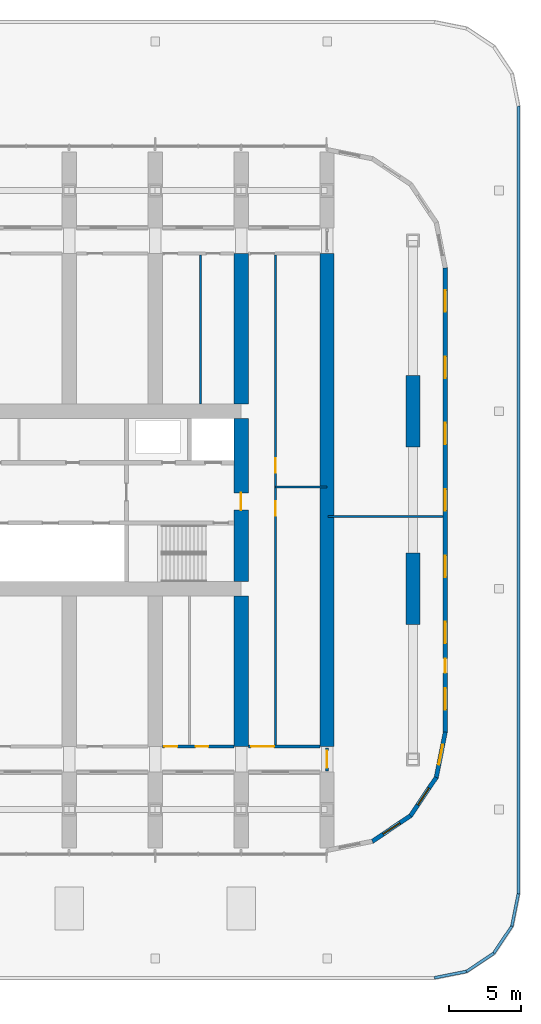
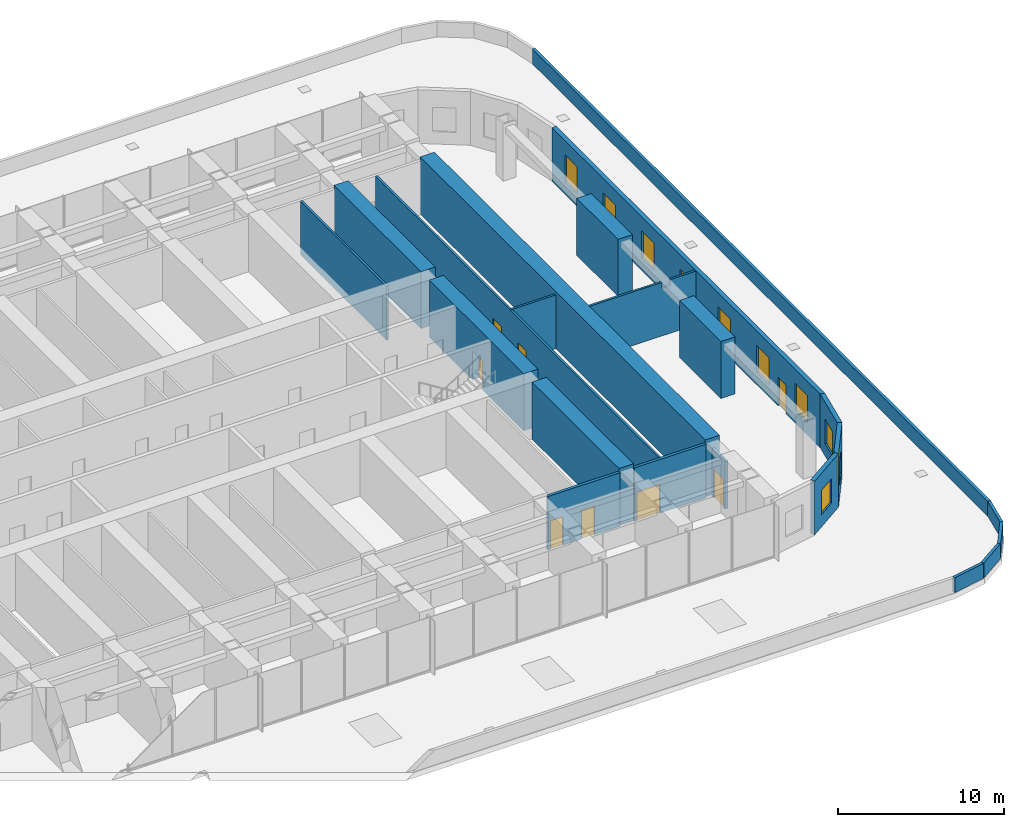
# One storey, part 16 of 23: 22 walls, 10 windows, 8 doors, 18 openings.
"""IFC4 building model written with IfcOpenShell, lengths in metres."""

from ifc_helpers import new_model, si_unit, direction, frame, frame_2d, origin, place, context, subcontext, project, spatial, polyline, rectangle, outline, extrude, material, layer, layer_set, type_object, element, fill, save


model = new_model("IFC4")

# Units and contexts
model_context = context("Model", 3, precision=1e-05, world=origin(), true_north=direction((0.0, 1.0)))
body_context = subcontext(model_context, "Body", "Model", "MODEL_VIEW")
ifc_project = project(units=[si_unit("LENGTHUNIT", "METRE"), si_unit("AREAUNIT", "SQUARE_METRE"), si_unit("VOLUMEUNIT", "CUBIC_METRE"), si_unit("PLANEANGLEUNIT", "RADIAN"), si_unit("MASSUNIT", "GRAM", prefix="KILO")], contexts=[model_context])

# Site, building, storey
site_placement = place(None, origin())
site = spatial("IfcSite", under=ifc_project, at=site_placement, CompositionType="ELEMENT")
building_placement = place(site_placement, origin())
building = spatial("IfcBuilding", under=site, at=building_placement, Name="Orbita Commons", CompositionType="ELEMENT")
storey_placement = place(building_placement, frame((0.0, 0.0, 16.0)))
storey = spatial("IfcBuildingStorey", under=building, at=storey_placement, Name="L03", CompositionType="ELEMENT", Elevation=16.0)

# Wall, opening, door
ifc_material_1 = material(Name="Concrete C50/60", Category="concrete")
ifc_layer_1 = layer(ifc_material_1, 1.0)
ifc_layer_set_1 = layer_set([ifc_layer_1], Name="Concrete C50/60")
wall_type_1 = type_object("IfcWallType", Name="Core wall 1000 C50/60", PredefinedType="SHEAR", material=ifc_layer_set_1)
wall_1_placement = place(storey_placement, frame((66.0, 26.300048828125, 0.0), z_axis=(0.0, 0.0, 1.0), x_axis=(0.0, 1.0, 0.0)))
wall_1 = element("IfcWall", 1, at=wall_1_placement, inside=storey, type_object=wall_type_1, Name="Core end wall east L03", PredefinedType="SHEAR", context=body_context, shape_type="SweptSolid", body=[
    extrude(rectangle(XDim=11.39990234375, YDim=1.0, at=frame_2d((5.699951171875, 0.0))), origin(), (0.0, 0.0, 1.0), 4.199951171875),
])
opening_1_placement = place(wall_1_placement, frame((5.0, 0.0, 0.0)))
opening_1 = element("IfcOpeningElement", 2, at=opening_1_placement, cuts=wall_1, Name="Opening D01", PredefinedType="OPENING", context=body_context, shape_type="SweptSolid", body=[
    extrude(rectangle(XDim=1.199951171875, YDim=2.10009765625, at=frame_2d((0.60009765625, 1.050048828125))), frame((0.0, 0.510009765625, 0.0), z_axis=(0.0, -1.0, 0.0), x_axis=(1.0, 0.0, 0.0)), (0.0, 0.0, 1.0), 1.02001953125),
])
ifc_material_2 = material(Name="Steel-faced fire door leaf", Category="steel")
door_type_1 = type_object("IfcDoorType", Name="Fire door 90 min 1200x2100", OperationType="SINGLE_SWING_LEFT", PredefinedType="DOOR", material=ifc_material_2)
door_1_placement = place(opening_1_placement, origin())
door_1 = element("IfcDoor", 3, at=door_1_placement, inside=storey, type_object=door_type_1, Name="Firefighting lobby east door", OperationType="SINGLE_SWING_LEFT", OverallHeight=2.10009765625, OverallWidth=1.199951171875, PredefinedType="DOOR", context=body_context, shape_type="SweptSolid", body=[
    extrude(rectangle(XDim=1.199951171875, YDim=2.10009765625, at=frame_2d((0.60009765625, 1.050048828125))), frame((0.0, 0.02490234375, 0.0), z_axis=(0.0, -1.0, 0.0), x_axis=(1.0, 0.0, 0.0)), (0.0, 0.0, 1.0), 0.050048828125),
])
fill(opening_1, door_1)

ifc_material_3 = material(Name="Concrete blockwork", Category="masonry")
ifc_layer_2 = layer(ifc_material_3, 0.199951171875)
ifc_layer_set_2 = layer_set([ifc_layer_2], Name="Concrete blockwork")
wall_type_2 = type_object("IfcWallType", Name="Corridor wall 200 blockwork", PredefinedType="SOLIDWALL", material=ifc_layer_set_2)
wall_2_placement = place(storey_placement, frame((72.0, 13.10009765625, 0.0), z_axis=(0.0, 0.0, 1.0), x_axis=(0.0, 1.0, 0.0)))
wall_2 = element("IfcWall", 4, at=wall_2_placement, inside=storey, type_object=wall_type_2, Name="Corridor wall 200 blockwork L03", PredefinedType="SOLIDWALL", context=body_context, shape_type="SweptSolid", body=[
    extrude(outline(polyline([(0.0, 0.0), (1.599853515625, 0.0), (1.60009765625, 3.5), (0.0, 3.5), (0.0, 0.0)])), frame((0.0, 0.10009765625, 0.0), z_axis=(0.0, -1.0, 0.0), x_axis=(1.0, 0.0, 0.0)), (0.0, 0.0, 1.0), 0.199951171875),
])
opening_2_placement = place(wall_2_placement, frame((0.199951171875, 0.0, 0.0)))
opening_2 = element("IfcOpeningElement", 5, at=opening_2_placement, cuts=wall_2, Name="Opening D12", PredefinedType="OPENING", context=body_context, shape_type="SweptSolid", body=[
    extrude(rectangle(XDim=1.199951171875, YDim=2.10009765625, at=frame_2d((0.60009765625, 1.050048828125))), frame((0.0, 0.10986328125, 0.0), z_axis=(0.0, -1.0, 0.0), x_axis=(1.0, 0.0, 0.0)), (0.0, 0.0, 1.0), 0.219970703125),
])
ifc_material_4 = material(Name="Steel-faced fire door leaf", Category="steel")
door_type_2 = type_object("IfcDoorType", Name="Double corridor door 20 min 1200x2100", OperationType="DOUBLE_DOOR_SINGLE_SWING", PredefinedType="DOOR", material=ifc_material_4)
door_2_placement = place(opening_2_placement, origin())
door_2 = element("IfcDoor", 6, at=door_2_placement, inside=storey, type_object=door_type_2, Name="Lounge doors", OperationType="DOUBLE_DOOR_SINGLE_SWING", OverallHeight=2.10009765625, OverallWidth=1.199951171875, PredefinedType="DOOR", context=body_context, shape_type="SweptSolid", body=[
    extrude(rectangle(XDim=1.199951171875, YDim=2.10009765625, at=frame_2d((0.60009765625, 1.050048828125))), frame((0.0, 0.02490234375, 0.0), z_axis=(0.0, -1.0, 0.0), x_axis=(1.0, 0.0, 0.0)), (0.0, 0.0, 1.0), 0.050048828125),
])
fill(opening_2, door_2)

# Wall, openings, doors
ifc_material_5 = material(Name="Hollow concrete block 200", Category="concrete")
ifc_layer_3 = layer(ifc_material_5, 0.199951171875)
ifc_layer_set_3 = layer_set([ifc_layer_3], Name="Hollow concrete block 200")
wall_type_3 = type_object("IfcWallType", Name="Corridor wall 200 hollow concrete block", PredefinedType="SOLIDWALL", material=ifc_layer_set_3)
wall_3_placement = place(storey_placement, frame((60.5, 14.800048828125, 0.0), z_axis=(0.0, 0.0, 1.0), x_axis=(1.0, 0.0, 0.0)))
wall_3 = element("IfcWall", 7, at=wall_3_placement, inside=storey, type_object=wall_type_3, Name="Corridor wall 200 hollow concrete block L03", PredefinedType="SOLIDWALL", context=body_context, shape_type="SweptSolid", body=[
    extrude(rectangle(XDim=5.0, YDim=0.199951171875, at=frame_2d((2.5, 0.0))), origin(), (0.0, 0.0, 1.0), 3.949951171875),
])
opening_3_placement = place(wall_3_placement, frame((0.14990234375, 0.0, 0.0)))
opening_3 = element("IfcOpeningElement", 8, at=opening_3_placement, cuts=wall_3, Name="Opening D11", PredefinedType="OPENING", context=body_context, shape_type="SweptSolid", body=[
    extrude(rectangle(XDim=0.89990234375, YDim=2.10009765625, at=frame_2d((0.449951171875, 1.050048828125))), frame((0.0, 0.10986328125, 0.0), z_axis=(0.0, -1.0, 0.0), x_axis=(1.0, 0.0, 0.0)), (0.0, 0.0, 1.0), 0.219970703125),
])
opening_4_placement = place(wall_3_placement, frame((2.324951171875, 0.0, 0.0)))
opening_4 = element("IfcOpeningElement", 9, at=opening_4_placement, cuts=wall_3, Name="Opening D11", PredefinedType="OPENING", context=body_context, shape_type="SweptSolid", body=[
    extrude(rectangle(XDim=0.89990234375, YDim=2.10009765625, at=frame_2d((0.449951171875, 1.050048828125))), frame((0.0, 0.10986328125, 0.0), z_axis=(0.0, -1.0, 0.0), x_axis=(1.0, 0.0, 0.0)), (0.0, 0.0, 1.0), 0.219970703125),
])
ifc_material_6 = material(Name="Steel-faced fire door leaf", Category="steel")
door_type_3 = type_object("IfcDoorType", Name="Corridor door 20 min 900x2100", OperationType="SINGLE_SWING_LEFT", PredefinedType="DOOR", material=ifc_material_6)
door_3_placement = place(opening_3_placement, origin())
door_3 = element("IfcDoor", 10, at=door_3_placement, inside=storey, type_object=door_type_3, Name="Quiet prayer room L03-BDS60 door", OperationType="SINGLE_SWING_LEFT", OverallHeight=2.10009765625, OverallWidth=0.89990234375, PredefinedType="DOOR", context=body_context, shape_type="SweptSolid", body=[
    extrude(rectangle(XDim=0.89990234375, YDim=2.10009765625, at=frame_2d((0.449951171875, 1.050048828125))), frame((0.0, 0.02490234375, 0.0), z_axis=(0.0, -1.0, 0.0), x_axis=(1.0, 0.0, 0.0)), (0.0, 0.0, 1.0), 0.050048828125),
])
fill(opening_3, door_3)
door_4_placement = place(opening_4_placement, origin())
door_4 = element("IfcDoor", 11, at=door_4_placement, inside=storey, type_object=door_type_3, Name="Equipment store L03-BDS60n door", OperationType="SINGLE_SWING_LEFT", OverallHeight=2.10009765625, OverallWidth=0.89990234375, PredefinedType="DOOR", context=body_context, shape_type="SweptSolid", body=[
    extrude(rectangle(XDim=0.89990234375, YDim=2.10009765625, at=frame_2d((0.449951171875, 1.050048828125))), frame((0.0, 0.02490234375, 0.0), z_axis=(0.0, -1.0, 0.0), x_axis=(1.0, 0.0, 0.0)), (0.0, 0.0, 1.0), 0.050048828125),
])
fill(opening_4, door_4)

# Wall, opening, door
wall_4_placement = place(storey_placement, frame((66.5, 14.800048828125, 0.0), z_axis=(0.0, 0.0, 1.0), x_axis=(1.0, 0.0, 0.0)))
wall_4 = element("IfcWall", 12, at=wall_4_placement, inside=storey, type_object=wall_type_3, Name="Corridor wall 200 hollow concrete block L03", PredefinedType="SOLIDWALL", context=body_context, shape_type="SweptSolid", body=[
    extrude(rectangle(XDim=5.0, YDim=0.199951171875, at=frame_2d((2.5, 0.0))), origin(), (0.0, 0.0, 1.0), 3.949951171875),
])
opening_5_placement = place(wall_4_placement, frame((0.199951171875, 0.0, 0.0)))
opening_5 = element("IfcOpeningElement", 13, at=opening_5_placement, cuts=wall_4, Name="Opening D10", PredefinedType="OPENING", context=body_context, shape_type="SweptSolid", body=[
    extrude(rectangle(XDim=1.60009765625, YDim=2.10009765625, at=frame_2d((0.800048828125, 1.050048828125))), frame((0.0, 0.10986328125, 0.0), z_axis=(0.0, -1.0, 0.0), x_axis=(1.0, 0.0, 0.0)), (0.0, 0.0, 1.0), 0.219970703125),
])
ifc_material_7 = material(Name="Steel-faced fire door leaf", Category="steel")
door_type_4 = type_object("IfcDoorType", Name="Double corridor door 20 min 1600x2100", OperationType="DOUBLE_DOOR_SINGLE_SWING", PredefinedType="DOOR", material=ifc_material_7)
door_5_placement = place(opening_5_placement, origin())
door_5 = element("IfcDoor", 14, at=door_5_placement, inside=storey, type_object=door_type_4, Name="Cross corridor doors", OperationType="DOUBLE_DOOR_SINGLE_SWING", OverallHeight=2.10009765625, OverallWidth=1.60009765625, PredefinedType="DOOR", context=body_context, shape_type="SweptSolid", body=[
    extrude(rectangle(XDim=1.60009765625, YDim=2.10009765625, at=frame_2d((0.800048828125, 1.050048828125))), frame((0.0, 0.02490234375, 0.0), z_axis=(0.0, -1.0, 0.0), x_axis=(1.0, 0.0, 0.0)), (0.0, 0.0, 1.0), 0.050048828125),
])
fill(opening_5, door_5)

# Walls
ifc_material_8 = material(Name="Concrete C50/60", Category="concrete")
ifc_layer_4 = layer(ifc_material_8, 1.0)
ifc_layer_set_4 = layer_set([ifc_layer_4], Name="Concrete C50/60")
wall_type_4 = type_object("IfcWallType", Name="Cross wall 1000 C50/60", PredefinedType="SHEAR", material=ifc_layer_set_4)
for number, where, z_axis, x_axis, name in (
    (15, (66.0, 14.800048828125, 0.0), (0.0, 0.0, 1.0), (0.0, 1.0, 0.0), "Cross wall 12 south inner L03"),
    (16, (66.0, 38.699951171875, 0.0), (0.0, 0.0, 1.0), (0.0, 1.0, 0.0), "Cross wall 12 north inner L03"),
):
    element("IfcWall", number, at=place(storey_placement, frame(where, z_axis=z_axis, x_axis=x_axis)), inside=storey, type_object=wall_type_4, Name=name, PredefinedType="SHEAR", context=body_context, shape_type="SweptSolid", body=[
        extrude(rectangle(XDim=10.5, YDim=1.0, at=frame_2d((5.25, 0.0))), origin(), (0.0, 0.0, 1.0), 4.199951171875),
    ])
wall_5_placement = place(storey_placement, frame((72.0, 14.800048828125, 0.0), z_axis=(0.0, 0.0, 1.0), x_axis=(0.0, 1.0, 0.0)))
element("IfcWall", 17, at=wall_5_placement, inside=storey, type_object=wall_type_4, Name="Cross wall 13 inner L03", PredefinedType="SHEAR", context=body_context, shape_type="SweptSolid", body=[
    extrude(rectangle(XDim=34.39990234375, YDim=1.0, at=frame_2d((17.199951171875, 0.0))), origin(), (0.0, 0.0, 1.0), 4.199951171875),
])
ifc_material_9 = material(Name="Concrete C50/60", Category="concrete")
ifc_layer_5 = layer(ifc_material_9, 1.0)
ifc_layer_set_5 = layer_set([ifc_layer_5], Name="Concrete C50/60")
wall_type_5 = type_object("IfcWallType", Name="End pier 1000x5000 C50/60", PredefinedType="SHEAR", material=ifc_layer_set_5)
for number, where, z_axis, x_axis, name in (
    (18, (78.0, 23.300048828125, 0.0), (0.0, 0.0, 1.0), (0.0, 1.0, 0.0), "End pier 14/C L03"),
    (19, (78.0, 35.699951171875, 0.0), (0.0, 0.0, 1.0), (0.0, 1.0, 0.0), "End pier 14/D L03"),
):
    element("IfcWall", number, at=place(storey_placement, frame(where, z_axis=z_axis, x_axis=x_axis)), inside=storey, type_object=wall_type_5, Name=name, PredefinedType="SHEAR", context=body_context, shape_type="SweptSolid", body=[
        extrude(rectangle(XDim=5.0, YDim=1.0, at=frame_2d((2.5, 0.0))), origin(), (0.0, 0.0, 1.0), 4.199951171875),
    ])
ifc_material_10 = material(Name="Gypsum plasterboard on steel studs", Category="steel")
ifc_layer_6 = layer(ifc_material_10, 0.14990234375)
ifc_layer_set_6 = layer_set([ifc_layer_6], Name="Gypsum plasterboard on steel studs")
wall_type_6 = type_object("IfcWallType", Name="Partition 150 plasterboard", PredefinedType="PARTITIONING", material=ifc_layer_set_6)
wall_6_placement = place(storey_placement, frame((63.169921875, 38.699951171875, 0.0), z_axis=(0.0, 0.0, 1.0), x_axis=(0.0, 1.0, 0.0)))
element("IfcWall", 20, at=wall_6_placement, inside=storey, type_object=wall_type_6, Name="Partition 150 plasterboard L03", PredefinedType="PARTITIONING", context=body_context, shape_type="SweptSolid", body=[
    extrude(rectangle(XDim=10.400146484375, YDim=0.14990234375, at=frame_2d((5.2001953125, 0.0))), origin(), (0.0, 0.0, 1.0), 3.949951171875),
])

# Wall, openings, doors
wall_7_placement = place(storey_placement, frame((68.39990234375, 14.89990234375, 0.0), z_axis=(0.0, 0.0, 1.0), x_axis=(0.0, 1.0, 0.0)))
wall_7 = element("IfcWall", 21, at=wall_7_placement, inside=storey, type_object=wall_type_6, Name="Partition 150 plasterboard L03", PredefinedType="PARTITIONING", context=body_context, shape_type="SweptSolid", body=[
    extrude(rectangle(XDim=34.2001953125, YDim=0.14990234375, at=frame_2d((17.10009765625, 0.0))), origin(), (0.0, 0.0, 1.0), 3.949951171875),
])
opening_6_placement = place(wall_7_placement, frame((16.0, 0.0, 0.0)))
opening_6 = element("IfcOpeningElement", 22, at=opening_6_placement, cuts=wall_7, Name="Opening D06", PredefinedType="OPENING", context=body_context, shape_type="SweptSolid", body=[
    extrude(rectangle(XDim=1.0, YDim=2.10009765625, at=frame_2d((0.5, 1.050048828125))), frame((0.0, 0.0849609375, 0.0), z_axis=(0.0, -1.0, 0.0), x_axis=(1.0, 0.0, 0.0)), (0.0, 0.0, 1.0), 0.169921875),
])
opening_7_placement = place(wall_7_placement, frame((19.0, 0.0, 0.0)))
opening_7 = element("IfcOpeningElement", 23, at=opening_7_placement, cuts=wall_7, Name="Opening D06", PredefinedType="OPENING", context=body_context, shape_type="SweptSolid", body=[
    extrude(rectangle(XDim=1.0, YDim=2.10009765625, at=frame_2d((0.5, 1.050048828125))), frame((0.0, 0.0849609375, 0.0), z_axis=(0.0, -1.0, 0.0), x_axis=(1.0, 0.0, 0.0)), (0.0, 0.0, 1.0), 0.169921875),
])
ifc_material_11 = material(Name="Steel-faced fire door leaf", Category="steel")
door_type_5 = type_object("IfcDoorType", Name="Corridor door 20 min 1000x2100", OperationType="SINGLE_SWING_LEFT", PredefinedType="DOOR", material=ifc_material_11)
door_6_placement = place(opening_6_placement, origin())
door_6 = element("IfcDoor", 24, at=door_6_placement, inside=storey, type_object=door_type_5, Name="Residents' storage room door", OperationType="SINGLE_SWING_LEFT", OverallHeight=2.10009765625, OverallWidth=1.0, PredefinedType="DOOR", context=body_context, shape_type="SweptSolid", body=[
    extrude(rectangle(XDim=1.0, YDim=2.10009765625, at=frame_2d((0.5, 1.050048828125))), frame((0.0, 0.02490234375, 0.0), z_axis=(0.0, -1.0, 0.0), x_axis=(1.0, 0.0, 0.0)), (0.0, 0.0, 1.0), 0.050048828125),
])
fill(opening_6, door_6)
door_7_placement = place(opening_7_placement, origin())
door_7 = element("IfcDoor", 25, at=door_7_placement, inside=storey, type_object=door_type_5, Name="Quiet room en door", OperationType="SINGLE_SWING_LEFT", OverallHeight=2.10009765625, OverallWidth=1.0, PredefinedType="DOOR", context=body_context, shape_type="SweptSolid", body=[
    extrude(rectangle(XDim=1.0, YDim=2.10009765625, at=frame_2d((0.5, 1.050048828125))), frame((0.0, 0.02490234375, 0.0), z_axis=(0.0, -1.0, 0.0), x_axis=(1.0, 0.0, 0.0)), (0.0, 0.0, 1.0), 0.050048828125),
])
fill(opening_7, door_7)

# Walls
wall_8_placement = place(storey_placement, frame((68.39990234375, 32.89990234375, 0.0), z_axis=(0.0, 0.0, 1.0), x_axis=(1.0, 0.0, 0.0)))
element("IfcWall", 26, at=wall_8_placement, inside=storey, type_object=wall_type_6, Name="Partition 150 plasterboard L03", PredefinedType="PARTITIONING", context=body_context, shape_type="SweptSolid", body=[
    extrude(rectangle(XDim=3.60009765625, YDim=0.14990234375, at=frame_2d((1.800048828125, 0.0))), origin(), (0.0, 0.0, 1.0), 3.949951171875),
])
wall_9_placement = place(storey_placement, frame((72.074951171875, 30.85009765625, 0.0), z_axis=(0.0, 0.0, 1.0), x_axis=(1.0, 0.0, 0.0)))
element("IfcWall", 27, at=wall_9_placement, inside=storey, type_object=wall_type_6, Name="Partition 150 plasterboard L03", PredefinedType="PARTITIONING", context=body_context, shape_type="SweptSolid", body=[
    extrude(outline(polyline([(0.0, 0.0), (8.02001953125, 0.0), (8.02001953125, 3.949951171875), (6.22705078125, 3.949951171875), (6.22509765625, 3.5), (5.626953125, 3.5), (5.625, 3.949951171875), (0.0, 3.949951171875), (0.0, 0.0)])), frame((0.0, 0.074951171875, 0.0), z_axis=(0.0, -1.0, 0.0), x_axis=(1.0, 0.0, 0.0)), (0.0, 0.0, 1.0), 0.14990234375),
])

# Wall, openings, windows, door
ifc_material_12 = material(Name="Precast concrete C40/50, white board-marked finish", Category="concrete")
ifc_layer_7 = layer(ifc_material_12, 0.300048828125)
ifc_layer_set_7 = layer_set([ifc_layer_7], Name="Precast concrete C40/50, white board-marked finish")
wall_type_7 = type_object("IfcWallType", Name="Precast concrete end shield 300", PredefinedType="SOLIDWALL", material=ifc_layer_set_7)
wall_10_placement = place(storey_placement, frame((80.25, 15.800048828125, 0.0), z_axis=(0.0, 0.0, 1.0), x_axis=(0.0, 1.0, 0.0)))
wall_10 = element("IfcWall", 28, at=wall_10_placement, inside=storey, type_object=wall_type_7, Name="End shield E L03", PredefinedType="SOLIDWALL", context=body_context, shape_type="SweptSolid", body=[
    extrude(outline(polyline([(-0.014892578125, -0.14990234375), (32.414794921875, -0.14990234375), (32.385009765625, 0.14990234375), (0.014892578125, 0.14990234375), (-0.014892578125, -0.14990234375)])), origin(), (0.0, 0.0, 1.0), 3.949951171875),
])
opening_8_placement = place(wall_10_placement, frame((1.564208984375, 0.0, 0.89990234375)))
opening_8 = element("IfcOpeningElement", 29, at=opening_8_placement, cuts=wall_10, Name="Opening W01", PredefinedType="OPENING", context=body_context, shape_type="SweptSolid", body=[
    extrude(rectangle(XDim=1.5, YDim=2.0, at=frame_2d((0.75, 1.0))), frame((0.0, 0.159912109375, 0.0), z_axis=(0.0, -1.0, 0.0), x_axis=(1.0, 0.0, 0.0)), (0.0, 0.0, 1.0), 0.320068359375),
])
opening_9_placement = place(wall_10_placement, frame((6.19287109375, 0.0, 0.89990234375)))
opening_9 = element("IfcOpeningElement", 30, at=opening_9_placement, cuts=wall_10, Name="Opening W01", PredefinedType="OPENING", context=body_context, shape_type="SweptSolid", body=[
    extrude(rectangle(XDim=1.5, YDim=2.0, at=frame_2d((0.75, 1.0))), frame((0.0, 0.159912109375, 0.0), z_axis=(0.0, -1.0, 0.0), x_axis=(1.0, 0.0, 0.0)), (0.0, 0.0, 1.0), 0.320068359375),
])
opening_10_placement = place(wall_10_placement, frame((10.821533203125, 0.0, 0.89990234375)))
opening_10 = element("IfcOpeningElement", 31, at=opening_10_placement, cuts=wall_10, Name="Opening W01", PredefinedType="OPENING", context=body_context, shape_type="SweptSolid", body=[
    extrude(rectangle(XDim=1.5, YDim=2.0, at=frame_2d((0.75, 1.0))), frame((0.0, 0.159912109375, 0.0), z_axis=(0.0, -1.0, 0.0), x_axis=(1.0, 0.0, 0.0)), (0.0, 0.0, 1.0), 0.320068359375),
])
opening_11_placement = place(wall_10_placement, frame((15.449951171875, 0.0, 0.89990234375)))
opening_11 = element("IfcOpeningElement", 32, at=opening_11_placement, cuts=wall_10, Name="Opening W01", PredefinedType="OPENING", context=body_context, shape_type="SweptSolid", body=[
    extrude(rectangle(XDim=1.5, YDim=2.0, at=frame_2d((0.75, 1.0))), frame((0.0, 0.159912109375, 0.0), z_axis=(0.0, -1.0, 0.0), x_axis=(1.0, 0.0, 0.0)), (0.0, 0.0, 1.0), 0.320068359375),
])
opening_12_placement = place(wall_10_placement, frame((20.07861328125, 0.0, 0.89990234375)))
opening_12 = element("IfcOpeningElement", 33, at=opening_12_placement, cuts=wall_10, Name="Opening W01", PredefinedType="OPENING", context=body_context, shape_type="SweptSolid", body=[
    extrude(rectangle(XDim=1.5, YDim=2.0, at=frame_2d((0.75, 1.0))), frame((0.0, 0.159912109375, 0.0), z_axis=(0.0, -1.0, 0.0), x_axis=(1.0, 0.0, 0.0)), (0.0, 0.0, 1.0), 0.320068359375),
])
opening_13_placement = place(wall_10_placement, frame((24.70703125, 0.0, 0.89990234375)))
opening_13 = element("IfcOpeningElement", 34, at=opening_13_placement, cuts=wall_10, Name="Opening W01", PredefinedType="OPENING", context=body_context, shape_type="SweptSolid", body=[
    extrude(rectangle(XDim=1.5, YDim=2.0, at=frame_2d((0.75, 1.0))), frame((0.0, 0.159912109375, 0.0), z_axis=(0.0, -1.0, 0.0), x_axis=(1.0, 0.0, 0.0)), (0.0, 0.0, 1.0), 0.320068359375),
])
opening_14_placement = place(wall_10_placement, frame((29.335693359375, 0.0, 0.89990234375)))
opening_14 = element("IfcOpeningElement", 35, at=opening_14_placement, cuts=wall_10, Name="Opening W01", PredefinedType="OPENING", context=body_context, shape_type="SweptSolid", body=[
    extrude(rectangle(XDim=1.5, YDim=2.0, at=frame_2d((0.75, 1.0))), frame((0.0, 0.159912109375, 0.0), z_axis=(0.0, -1.0, 0.0), x_axis=(1.0, 0.0, 0.0)), (0.0, 0.0, 1.0), 0.320068359375),
])
opening_15_placement = place(wall_10_placement, frame((4.128662109375, 0.0, 0.0)))
opening_15 = element("IfcOpeningElement", 36, at=opening_15_placement, cuts=wall_10, Name="Opening DR1", PredefinedType="OPENING", context=body_context, shape_type="SweptSolid", body=[
    extrude(rectangle(XDim=1.0, YDim=2.10009765625, at=frame_2d((0.5, 1.050048828125))), frame((0.0, 0.159912109375, 0.0), z_axis=(0.0, -1.0, 0.0), x_axis=(1.0, 0.0, 0.0)), (0.0, 0.0, 1.0), 0.320068359375),
])
ifc_material_13 = material(Name="Aluminium frame, clear double glazing", Category="aluminium")
window_type_1 = type_object("IfcWindowType", Name="Deep-set window 1500x2000", PartitioningType="SINGLE_PANEL", PredefinedType="WINDOW", material=ifc_material_13)
window_1_placement = place(opening_8_placement, origin())
window_1 = element("IfcWindow", 37, at=window_1_placement, inside=storey, type_object=window_type_1, Name="Window L03-E 1", OverallHeight=2.0, OverallWidth=1.5, PartitioningType="SINGLE_PANEL", PredefinedType="WINDOW", context=body_context, shape_type="SweptSolid", body=[
    extrude(rectangle(XDim=1.5, YDim=2.0, at=frame_2d((0.75, 1.0))), frame((0.0, 0.030029296875, 0.0), z_axis=(0.0, -1.0, 0.0), x_axis=(1.0, 0.0, 0.0)), (0.0, 0.0, 1.0), 0.06005859375),
])
fill(opening_8, window_1)
window_2_placement = place(opening_9_placement, origin())
window_2 = element("IfcWindow", 38, at=window_2_placement, inside=storey, type_object=window_type_1, Name="Window L03-E 2", OverallHeight=2.0, OverallWidth=1.5, PartitioningType="SINGLE_PANEL", PredefinedType="WINDOW", context=body_context, shape_type="SweptSolid", body=[
    extrude(rectangle(XDim=1.5, YDim=2.0, at=frame_2d((0.75, 1.0))), frame((0.0, 0.030029296875, 0.0), z_axis=(0.0, -1.0, 0.0), x_axis=(1.0, 0.0, 0.0)), (0.0, 0.0, 1.0), 0.06005859375),
])
fill(opening_9, window_2)
window_3_placement = place(opening_10_placement, origin())
window_3 = element("IfcWindow", 39, at=window_3_placement, inside=storey, type_object=window_type_1, Name="Window L03-E 3", OverallHeight=2.0, OverallWidth=1.5, PartitioningType="SINGLE_PANEL", PredefinedType="WINDOW", context=body_context, shape_type="SweptSolid", body=[
    extrude(rectangle(XDim=1.5, YDim=2.0, at=frame_2d((0.75, 1.0))), frame((0.0, 0.030029296875, 0.0), z_axis=(0.0, -1.0, 0.0), x_axis=(1.0, 0.0, 0.0)), (0.0, 0.0, 1.0), 0.06005859375),
])
fill(opening_10, window_3)
window_4_placement = place(opening_11_placement, origin())
window_4 = element("IfcWindow", 40, at=window_4_placement, inside=storey, type_object=window_type_1, Name="Window L03-E 4", OverallHeight=2.0, OverallWidth=1.5, PartitioningType="SINGLE_PANEL", PredefinedType="WINDOW", context=body_context, shape_type="SweptSolid", body=[
    extrude(rectangle(XDim=1.5, YDim=2.0, at=frame_2d((0.75, 1.0))), frame((0.0, 0.030029296875, 0.0), z_axis=(0.0, -1.0, 0.0), x_axis=(1.0, 0.0, 0.0)), (0.0, 0.0, 1.0), 0.06005859375),
])
fill(opening_11, window_4)
window_5_placement = place(opening_12_placement, origin())
window_5 = element("IfcWindow", 41, at=window_5_placement, inside=storey, type_object=window_type_1, Name="Window L03-E 5", OverallHeight=2.0, OverallWidth=1.5, PartitioningType="SINGLE_PANEL", PredefinedType="WINDOW", context=body_context, shape_type="SweptSolid", body=[
    extrude(rectangle(XDim=1.5, YDim=2.0, at=frame_2d((0.75, 1.0))), frame((0.0, 0.030029296875, 0.0), z_axis=(0.0, -1.0, 0.0), x_axis=(1.0, 0.0, 0.0)), (0.0, 0.0, 1.0), 0.06005859375),
])
fill(opening_12, window_5)
window_6_placement = place(opening_13_placement, origin())
window_6 = element("IfcWindow", 42, at=window_6_placement, inside=storey, type_object=window_type_1, Name="Window L03-E 6", OverallHeight=2.0, OverallWidth=1.5, PartitioningType="SINGLE_PANEL", PredefinedType="WINDOW", context=body_context, shape_type="SweptSolid", body=[
    extrude(rectangle(XDim=1.5, YDim=2.0, at=frame_2d((0.75, 1.0))), frame((0.0, 0.030029296875, 0.0), z_axis=(0.0, -1.0, 0.0), x_axis=(1.0, 0.0, 0.0)), (0.0, 0.0, 1.0), 0.06005859375),
])
fill(opening_13, window_6)
window_7_placement = place(opening_14_placement, origin())
window_7 = element("IfcWindow", 43, at=window_7_placement, inside=storey, type_object=window_type_1, Name="Window L03-E 7", OverallHeight=2.0, OverallWidth=1.5, PartitioningType="SINGLE_PANEL", PredefinedType="WINDOW", context=body_context, shape_type="SweptSolid", body=[
    extrude(rectangle(XDim=1.5, YDim=2.0, at=frame_2d((0.75, 1.0))), frame((0.0, 0.030029296875, 0.0), z_axis=(0.0, -1.0, 0.0), x_axis=(1.0, 0.0, 0.0)), (0.0, 0.0, 1.0), 0.06005859375),
])
fill(opening_14, window_7)
ifc_material_14 = material(Name="Aluminium frame, insulated solid panel", Category="aluminium")
door_type_6 = type_object("IfcDoorType", Name="Roof access door 1000x2100", OperationType="SINGLE_SWING_LEFT", PredefinedType="DOOR", material=ifc_material_14)
door_8_placement = place(opening_15_placement, origin())
door_8 = element("IfcDoor", 44, at=door_8_placement, inside=storey, type_object=door_type_6, Name="Maintenance roof access door L03-E", OperationType="SINGLE_SWING_LEFT", OverallHeight=2.10009765625, OverallWidth=1.0, PredefinedType="DOOR", context=body_context, shape_type="SweptSolid", body=[
    extrude(rectangle(XDim=1.0, YDim=2.10009765625, at=frame_2d((0.5, 1.050048828125))), frame((0.0, 0.02490234375, 0.0), z_axis=(0.0, -1.0, 0.0), x_axis=(1.0, 0.0, 0.0)), (0.0, 0.0, 1.0), 0.050048828125),
])
fill(opening_15, door_8)

# Wall, opening, window
wall_11_placement = place(storey_placement, frame((75.156982421875, 8.177978515625, 0.0), z_axis=(0.0, 0.0, 1.0), x_axis=(0.831478105043, 0.555557522525, 0.0)))
wall_11 = element("IfcWall", 45, at=wall_11_placement, inside=storey, type_object=wall_type_7, Name="End shield SE chord 2 L03", PredefinedType="SOLIDWALL", context=body_context, shape_type="SweptSolid", body=[
    extrude(outline(polyline([(-0.02978515625, -0.14990234375), (3.248779296875, -0.14990234375), (3.189208984375, 0.14990234375), (0.02978515625, 0.14990234375), (-0.02978515625, -0.14990234375)])), origin(), (0.0, 0.0, 1.0), 3.949951171875),
])
opening_16_placement = place(wall_11_placement, frame((0.909423828125, 0.0, 0.89990234375)))
opening_16 = element("IfcOpeningElement", 46, at=opening_16_placement, cuts=wall_11, Name="Opening W02", PredefinedType="OPENING", context=body_context, shape_type="SweptSolid", body=[
    extrude(rectangle(XDim=1.39990234375, YDim=1.800048828125, at=frame_2d((0.699951171875, 0.89990234375))), frame((0.0, 0.159912109375, 0.0), z_axis=(0.0, -1.0, 0.0), x_axis=(1.0, 0.0, 0.0)), (0.0, 0.0, 1.0), 0.320068359375),
])
ifc_material_15 = material(Name="Aluminium frame, clear double glazing", Category="aluminium")
window_type_2 = type_object("IfcWindowType", Name="Deep-set window 1400x1800", PartitioningType="SINGLE_PANEL", PredefinedType="WINDOW", material=ifc_material_15)
window_8_placement = place(opening_16_placement, origin())
window_8 = element("IfcWindow", 47, at=window_8_placement, inside=storey, type_object=window_type_2, Name="Window L03-SE1", OverallHeight=1.800048828125, OverallWidth=1.39990234375, PartitioningType="SINGLE_PANEL", PredefinedType="WINDOW", context=body_context, shape_type="SweptSolid", body=[
    extrude(rectangle(XDim=1.39990234375, YDim=1.800048828125, at=frame_2d((0.699951171875, 0.89990234375))), frame((0.0, 0.030029296875, 0.0), z_axis=(0.0, -1.0, 0.0), x_axis=(1.0, 0.0, 0.0)), (0.0, 0.0, 1.0), 0.06005859375),
])
fill(opening_16, window_8)

wall_12_placement = place(storey_placement, frame((77.83349609375, 9.96630859375, 0.0), z_axis=(0.0, 0.0, 1.0), x_axis=(0.555609954424, 0.831443069936, 0.0)))
wall_12 = element("IfcWall", 48, at=wall_12_placement, inside=storey, type_object=wall_type_7, Name="End shield SE chord 3 L03", PredefinedType="SOLIDWALL", context=body_context, shape_type="SweptSolid", body=[
    extrude(outline(polyline([(-0.02978515625, -0.14990234375), (3.2490234375, -0.14990234375), (3.189453125, 0.14990234375), (0.02978515625, 0.14990234375), (-0.02978515625, -0.14990234375)])), origin(), (0.0, 0.0, 1.0), 3.949951171875),
])
opening_17_placement = place(wall_12_placement, frame((0.909423828125, 0.0, 0.89990234375)))
opening_17 = element("IfcOpeningElement", 49, at=opening_17_placement, cuts=wall_12, Name="Opening W02", PredefinedType="OPENING", context=body_context, shape_type="SweptSolid", body=[
    extrude(rectangle(XDim=1.39990234375, YDim=1.800048828125, at=frame_2d((0.699951171875, 0.89990234375))), frame((0.0, 0.159912109375, 0.0), z_axis=(0.0, -1.0, 0.0), x_axis=(1.0, 0.0, 0.0)), (0.0, 0.0, 1.0), 0.320068359375),
])
window_9_placement = place(opening_17_placement, origin())
window_9 = element("IfcWindow", 50, at=window_9_placement, inside=storey, type_object=window_type_2, Name="Window L03-SE2", OverallHeight=1.800048828125, OverallWidth=1.39990234375, PartitioningType="SINGLE_PANEL", PredefinedType="WINDOW", context=body_context, shape_type="SweptSolid", body=[
    extrude(rectangle(XDim=1.39990234375, YDim=1.800048828125, at=frame_2d((0.699951171875, 0.89990234375))), frame((0.0, 0.030029296875, 0.0), z_axis=(0.0, -1.0, 0.0), x_axis=(1.0, 0.0, 0.0)), (0.0, 0.0, 1.0), 0.06005859375),
])
fill(opening_17, window_9)

wall_13_placement = place(storey_placement, frame((79.6220703125, 12.642822265625, 0.0), z_axis=(0.0, 0.0, 1.0), x_axis=(0.195065901187, 0.980790137692, 0.0)))
wall_13 = element("IfcWall", 51, at=wall_13_placement, inside=storey, type_object=wall_type_7, Name="End shield SE chord 4 L03", PredefinedType="SOLIDWALL", context=body_context, shape_type="SweptSolid", body=[
    extrude(outline(polyline([(-0.02978515625, -0.14990234375), (3.23388671875, -0.14990234375), (3.2041015625, 0.14990234375), (0.02978515625, 0.14990234375), (-0.02978515625, -0.14990234375)])), origin(), (0.0, 0.0, 1.0), 3.949951171875),
])
opening_18_placement = place(wall_13_placement, frame((0.909423828125, 0.0, 0.89990234375)))
opening_18 = element("IfcOpeningElement", 52, at=opening_18_placement, cuts=wall_13, Name="Opening W02", PredefinedType="OPENING", context=body_context, shape_type="SweptSolid", body=[
    extrude(rectangle(XDim=1.39990234375, YDim=1.800048828125, at=frame_2d((0.699951171875, 0.89990234375))), frame((0.0, 0.159912109375, 0.0), z_axis=(0.0, -1.0, 0.0), x_axis=(1.0, 0.0, 0.0)), (0.0, 0.0, 1.0), 0.320068359375),
])
window_10_placement = place(opening_18_placement, origin())
window_10 = element("IfcWindow", 53, at=window_10_placement, inside=storey, type_object=window_type_2, Name="Window L03-SE3", OverallHeight=1.800048828125, OverallWidth=1.39990234375, PartitioningType="SINGLE_PANEL", PredefinedType="WINDOW", context=body_context, shape_type="SweptSolid", body=[
    extrude(rectangle(XDim=1.39990234375, YDim=1.800048828125, at=frame_2d((0.699951171875, 0.89990234375))), frame((0.0, 0.030029296875, 0.0), z_axis=(0.0, -1.0, 0.0), x_axis=(1.0, 0.0, 0.0)), (0.0, 0.0, 1.0), 0.06005859375),
])
fill(opening_18, window_10)

# Walls
ifc_material_16 = material(Name="Precast concrete C40/50, white board-marked finish", Category="concrete")
ifc_layer_8 = layer(ifc_material_16, 0.199951171875)
ifc_layer_set_8 = layer_set([ifc_layer_8], Name="Precast concrete C40/50, white board-marked finish")
wall_type_8 = type_object("IfcWallType", Name="Precast parapet 200", PredefinedType="PARAPET", material=ifc_layer_set_8)
wall_14_placement = place(storey_placement, frame((85.35009765625, 59.485107421875, 0.0), z_axis=(0.0, 0.0, 1.0), x_axis=(0.0, -1.0, 0.0)))
element("IfcWall", 54, at=wall_14_placement, inside=storey, type_object=wall_type_8, Name="Parapet L03 1.15", PredefinedType="PARAPET", context=body_context, shape_type="SweptSolid", body=[
    extrude(rectangle(XDim=54.97021484375, YDim=0.199951171875, at=frame_2d((27.485107421875, 0.0))), origin(), (0.0, 0.0, 1.0), 1.10009765625),
])
wall_15_placement = place(storey_placement, frame((85.35009765625, 4.514892578125, 0.0), z_axis=(0.0, 0.0, 1.0), x_axis=(-0.195073397651, -0.980788646717, 0.0)))
element("IfcWall", 55, at=wall_15_placement, inside=storey, type_object=wall_type_8, Name="Parapet L03 1.16", PredefinedType="PARAPET", context=body_context, shape_type="SweptSolid", body=[
    extrude(rectangle(XDim=2.296630859375, YDim=0.199951171875, at=frame_2d((1.1484375, 0.0))), origin(), (0.0, 0.0, 1.0), 1.10009765625),
])
for number, where, z_axis, x_axis, name in (
    (56, (84.902099609375, 2.262451171875, 0.0), (0.0, 0.0, 1.0), (-0.555588874493, -0.831457156166, 0.0), "Parapet L03 1.17"),
    (57, (83.634521484375, 0.365478515625, 0.0), (0.0, 0.0, 1.0), (-0.831457156166, -0.555588874493, 0.0), "Parapet L03 1.18"),
):
    element("IfcWall", number, at=place(storey_placement, frame(where, z_axis=z_axis, x_axis=x_axis)), inside=storey, type_object=wall_type_8, Name=name, PredefinedType="PARAPET", context=body_context, shape_type="SweptSolid", body=[
        extrude(rectangle(XDim=2.281494140625, YDim=0.199951171875, at=frame_2d((1.140625, 0.0))), origin(), (0.0, 0.0, 1.0), 1.10009765625),
    ])
wall_16_placement = place(storey_placement, frame((81.737548828125, -0.902099609375, 0.0), z_axis=(0.0, 0.0, 1.0), x_axis=(-0.980788646717, -0.195073397651, 0.0)))
element("IfcWall", 58, at=wall_16_placement, inside=storey, type_object=wall_type_8, Name="Parapet L03 1.19", PredefinedType="PARAPET", context=body_context, shape_type="SweptSolid", body=[
    extrude(rectangle(XDim=2.296630859375, YDim=0.199951171875, at=frame_2d((1.1484375, 0.0))), origin(), (0.0, 0.0, 1.0), 1.10009765625),
])

save(model, "model.ifc")
